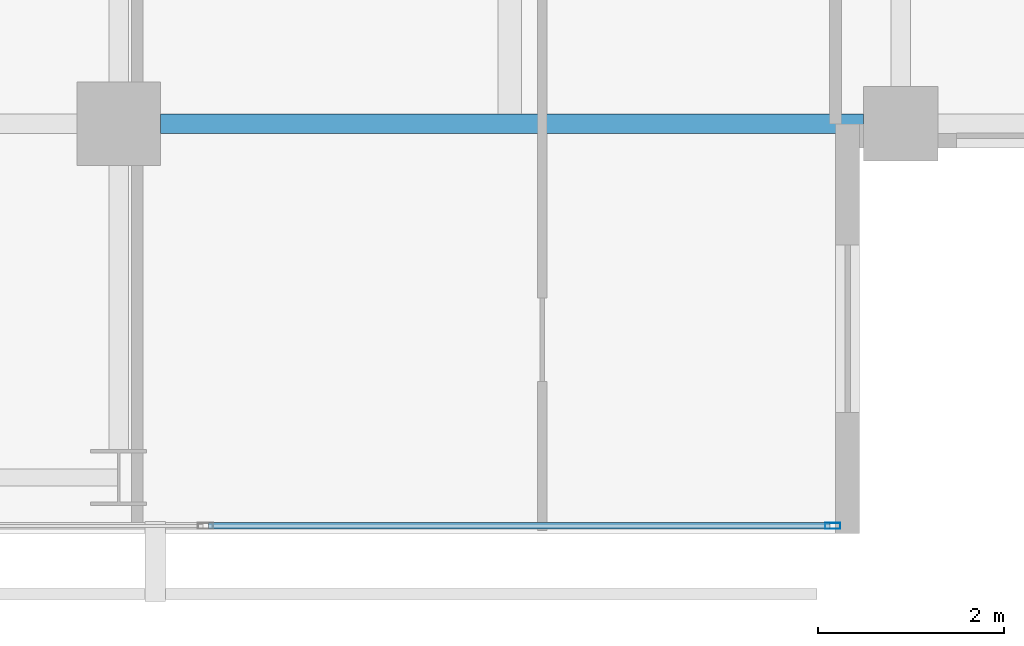
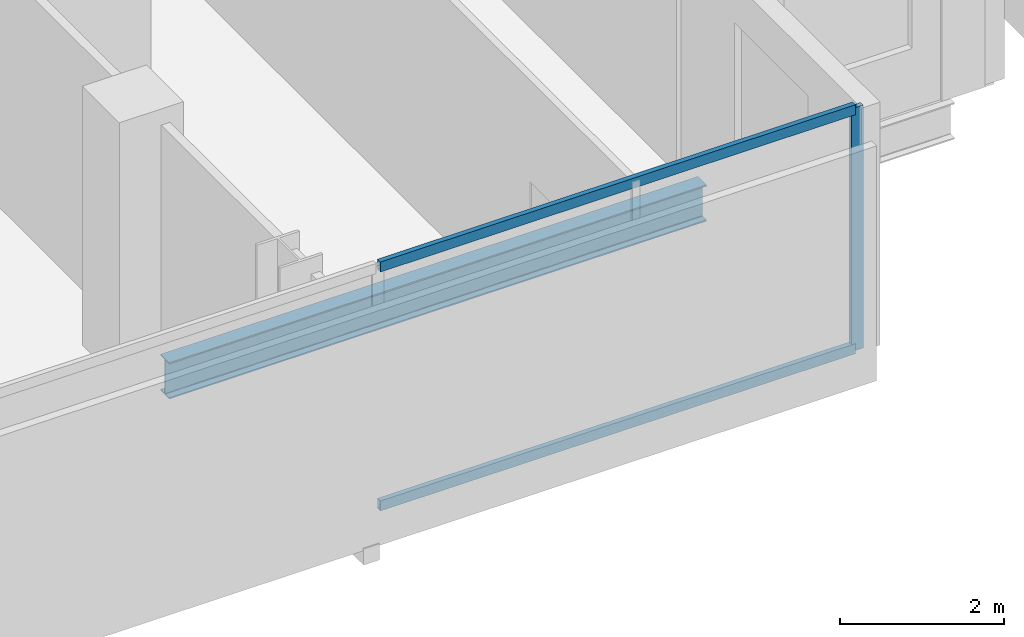
# One storey, part 13 of 34: 3 members, 1 beam, 1 element without a shape of its own.
"""IFC4 building model written with IfcOpenShell, lengths in metres."""

import ifcopenshell
import ifcopenshell.guid

model = None  # the IFC model being written
_history = None  # IfcOwnerHistory: only IFC2X3 demands one
_inside = {}  # id of a spatial element -> (the spatial element, [elements in it])
_under = {}  # id of a project, library or spatial element -> (it, [spatial elements below it])
_declared = {}  # id of a project -> (the project, [libraries it declares])
_typed = {}  # id of a type object -> (the type object, [elements of that type])
_made_of = {}  # id of a material, layer set ... -> (it, [elements and type objects made of it])


def new_model(schema):
    """Start an empty IFC model of exactly this schema.

    Asked for "IFC4X3", IfcOpenShell would pick the latest addendum, in which some entities
    have other attributes; the version numbers below select the first issue.
    IFC2X3 requires an IfcOwnerHistory on every rooted entity: one is made here for all.
    """
    global model, _history
    if schema == "IFC4X3":
        model = ifcopenshell.file(schema_version=(4, 3, 0, 0))
    else:
        model = ifcopenshell.file(schema=schema)
    _inside.clear()
    _under.clear()
    _declared.clear()
    _typed.clear()
    _made_of.clear()
    _history = None
    if model.schema == "IFC2X3":
        org = make("IfcOrganization", Name="unknown")
        user = make(
            "IfcPersonAndOrganization",
            ThePerson=make("IfcPerson", FamilyName="unknown"),
            TheOrganization=org,
        )
        app = make(
            "IfcApplication",
            ApplicationDeveloper=org,
            Version="unknown",
            ApplicationFullName="unknown",
            ApplicationIdentifier="unknown",
        )
        _history = make(
            "IfcOwnerHistory",
            OwningUser=user,
            OwningApplication=app,
            ChangeAction="ADDED",
            CreationDate=0,
        )
    return model


def make(cls, **values):
    """One entity of the class cls with the attributes given. An attribute that is None is left unset."""
    return model.create_entity(
        cls, **{name: value for name, value in values.items() if value is not None}
    )


def rooted(cls, **values):
    """An entity with a GlobalId (a new one), such as an element, a storey or a relation."""
    return make(cls, GlobalId=ifcopenshell.guid.new(), OwnerHistory=_history, **values)


def si_unit(unit_type, name, prefix=None):
    """IfcSIUnit, for example si_unit("LENGTHUNIT", "METRE", prefix="MILLI")."""
    return make("IfcSIUnit", UnitType=unit_type, Prefix=prefix, Name=name)


def assignment(units):
    """IfcUnitAssignment: the units of a project."""
    return None if units is None else make("IfcUnitAssignment", Units=units)


def point(xyz):
    """IfcCartesianPoint."""
    return None if xyz is None else make("IfcCartesianPoint", Coordinates=xyz)


def direction(xyz):
    """IfcDirection."""
    return None if xyz is None else make("IfcDirection", DirectionRatios=xyz)


def frame(location, z_axis=None, x_axis=None):
    """IfcAxis2Placement3D, a coordinate frame: its origin and axes. An axis left out is left unset."""
    return make(
        "IfcAxis2Placement3D",
        Location=point(location),
        Axis=direction(z_axis),
        RefDirection=direction(x_axis),
    )


def frame_2d(location, x_axis=None):
    """IfcAxis2Placement2D, a coordinate frame in the plane: its origin and x axis."""
    return make(
        "IfcAxis2Placement2D", Location=point(location), RefDirection=direction(x_axis)
    )


def origin():
    """The frame at (0, 0, 0) with its axes left unset."""
    return frame((0.0, 0.0, 0.0))


def origin_2d():
    """The frame at (0, 0) in the plane with its x axis left unset."""
    return frame_2d((0.0, 0.0))


def place(relative_to, where):
    """IfcLocalPlacement: puts the frame where relative to a parent placement (None: the world)."""
    return make(
        "IfcLocalPlacement", PlacementRelTo=relative_to, RelativePlacement=where
    )


def context(
    kind, dimensions, precision=None, world=None, true_north=None, identifier=None
):
    """IfcGeometricRepresentationContext, for example the 3D "Model" context."""
    return make(
        "IfcGeometricRepresentationContext",
        ContextIdentifier=identifier,
        ContextType=kind,
        CoordinateSpaceDimension=dimensions,
        Precision=precision,
        WorldCoordinateSystem=world,
        TrueNorth=true_north,
    )


def subcontext(parent, identifier, kind, view, scale=None):
    """IfcGeometricRepresentationSubContext, for example "Body" below "Model"."""
    return make(
        "IfcGeometricRepresentationSubContext",
        ContextIdentifier=identifier,
        ContextType=kind,
        ParentContext=parent,
        TargetScale=scale,
        TargetView=view,
    )


def project(units=None, contexts=None):
    """IfcProject with its units and contexts."""
    return rooted(
        "IfcProject",
        Name="project",
        RepresentationContexts=contexts,
        UnitsInContext=assignment(units),
    )


def spatial(cls, under=None, at=None, **own):
    """A site, building, storey or space (cls), placed at a placement, below another one or the project."""
    s = rooted(cls, ObjectPlacement=at, **own)
    if under is not None:
        _under.setdefault(under.id(), (under, []))[1].append(s)
    return s


def profile(cls, at=None, kind="AREA", **sizes):
    """A parametric profile (cls). Its sizes go by their IFC names, for example OverallWidth=200.0."""
    return make(cls, ProfileType=kind, Position=at, **sizes)


def hollow_rectangle(**sizes):
    """IfcRectangleHollowProfileDef."""
    return profile("IfcRectangleHollowProfileDef", **sizes)


def i_section(**sizes):
    """IfcIShapeProfileDef."""
    return profile("IfcIShapeProfileDef", **sizes)


def extrude(swept, where, along, depth):
    """IfcExtrudedAreaSolid: the profile swept, set in the frame where, extruded along a direction by depth."""
    return make(
        "IfcExtrudedAreaSolid",
        SweptArea=swept,
        Position=where,
        ExtrudedDirection=direction(along),
        Depth=depth,
    )


def shape(context_of_items, identifier, shape_type, items):
    """IfcShapeRepresentation: the items that make up one representation, for example the "Body"."""
    return make(
        "IfcShapeRepresentation",
        ContextOfItems=context_of_items,
        RepresentationIdentifier=identifier,
        RepresentationType=shape_type,
        Items=items,
    )


def material(Name=None, Category=None):
    """IfcMaterial."""
    return make("IfcMaterial", Name=Name, Category=Category)


def layer(
    of_material, thickness, ventilated=None, Name=None, Category=None, Priority=None
):
    """IfcMaterialLayer: one layer of a wall or slab, of a material (None: an air gap)."""
    return make(
        "IfcMaterialLayer",
        Material=of_material,
        LayerThickness=thickness,
        IsVentilated=ventilated,
        Name=Name,
        Category=Category,
        Priority=Priority,
    )


def layer_set(layers, Name=None):
    """IfcMaterialLayerSet."""
    return make("IfcMaterialLayerSet", MaterialLayers=layers, LayerSetName=Name)


def material_profile(
    of_material, cross_section, Name=None, Category=None, Priority=None
):
    """IfcMaterialProfile: a cross section and its material."""
    return make(
        "IfcMaterialProfile",
        Name=Name,
        Material=of_material,
        Profile=cross_section,
        Priority=Priority,
        Category=Category,
    )


def profile_set(profiles, Name=None, composite=None):
    """IfcMaterialProfileSet."""
    return make(
        "IfcMaterialProfileSet",
        Name=Name,
        MaterialProfiles=profiles,
        CompositeProfile=composite,
    )


def made_of(thing, what):
    """Note that an element or type object is made of a material, layer set ...; save() writes the relation."""
    if what is not None:
        _made_of.setdefault(what.id(), (what, []))[1].append(thing)
    return thing


def type_object(cls, material=None, **own):
    """A type object (cls), such as IfcWallType, which elements share."""
    return made_of(rooted(cls, **own), material)


def element(
    cls,
    number,
    at=None,
    inside=None,
    cuts=None,
    type_object=None,
    material=None,
    context=None,
    identifier="Body",
    shape_type=None,
    held_by="IfcProductDefinitionShape",
    body=None,
    shapes=None,
    **own,
):
    """One element of the class cls, such as IfcWall. Its Tag is "e" and its number.

    at: its placement. inside: the storey or other place that contains it. cuts: it is an
    opening in that element (IfcRelVoidsElement). A single representation is given by context,
    identifier, shape_type and body (its items); several are given by shapes. held_by: the class
    of the entity that holds the representations. save() writes the other relations.
    """
    e = rooted(cls, Tag="e%d" % number, ObjectPlacement=at, **own)
    if body is not None:
        shapes = [shape(context, identifier, shape_type, body)]
    if shapes is not None:
        e.Representation = make(held_by, Representations=shapes)
    if inside is not None:
        _inside.setdefault(inside.id(), (inside, []))[1].append(e)
    if cuts is not None:
        rooted(
            "IfcRelVoidsElement", RelatingBuildingElement=cuts, RelatedOpeningElement=e
        )
    if type_object is not None:
        _typed.setdefault(type_object.id(), (type_object, []))[1].append(e)
    return made_of(e, material)


def aggregate(whole, parts):
    """IfcRelAggregates: a whole, such as a stair, and the parts it consists of."""
    return rooted("IfcRelAggregates", RelatingObject=whole, RelatedObjects=parts)


def save(model, path):
    """Write the relations noted so far, then the file.

    IfcRelAggregates (storeys below a building ...), IfcRelContainedInSpatialStructure (elements
    in a storey), IfcRelDefinesByType, IfcRelAssociatesMaterial and IfcRelDeclares: one each for
    every whole, place, type object, material and project.
    """
    for whole, parts in _under.values():
        aggregate(whole, parts)
    for where, things in _inside.values():
        rooted(
            "IfcRelContainedInSpatialStructure",
            RelatedElements=things,
            RelatingStructure=where,
        )
    for kind, things in _typed.values():
        rooted("IfcRelDefinesByType", RelatedObjects=things, RelatingType=kind)
    for what, things in _made_of.values():
        rooted("IfcRelAssociatesMaterial", RelatedObjects=things, RelatingMaterial=what)
    for by, libraries in _declared.values():
        rooted("IfcRelDeclares", RelatingContext=by, RelatedDefinitions=libraries)
    model.write(path)


model = new_model("IFC4")

# Units and contexts
model_context = context("Model", 3, precision=1e-05, world=origin(), true_north=direction((0.0, 1.0)))
body_context = subcontext(model_context, "Body", "Model", "MODEL_VIEW")
ifc_project = project(units=[si_unit("LENGTHUNIT", "METRE"), si_unit("AREAUNIT", "SQUARE_METRE"), si_unit("VOLUMEUNIT", "CUBIC_METRE"), si_unit("PLANEANGLEUNIT", "RADIAN"), si_unit("MASSUNIT", "GRAM", prefix="KILO")], contexts=[model_context])

# Site, building, storey
site_placement = place(None, origin())
site = spatial("IfcSite", under=ifc_project, at=site_placement, CompositionType="ELEMENT")
building_placement = place(site_placement, origin())
building = spatial("IfcBuilding", under=site, at=building_placement, Name="Maruvema Waterfront Hotel and Observation Tower", CompositionType="ELEMENT")
storey_placement = place(building_placement, frame((0.0, 0.0, 212.10009765625)))
storey = spatial("IfcBuildingStorey", under=building, at=storey_placement, Name="L52", CompositionType="ELEMENT", Elevation=212.10009765625)

# Curtain wall, members
ifc_material_1 = material(Name="Anodised bronze aluminium and solar-control low-E IGU", Category="aluminium")
ifc_layer = layer(ifc_material_1, 0.159912109375, Name="Zone 2 Amber Inner Thermal Curtain Wall System CW-03")
ifc_layer_set = layer_set([ifc_layer], Name="Anodised bronze aluminium and solar-control low-E IGU")
curtain_wall_type = type_object("IfcCurtainWallType", Name="Zone 2 Amber Inner Thermal Curtain Wall System CW-03", PredefinedType="USERDEFINED", material=ifc_layer_set)
curtain_wall_placement = place(storey_placement, origin())
curtain_wall = element("IfcCurtainWall", 1, at=curtain_wall_placement, inside=storey, type_object=curtain_wall_type, Name="L52 Curtain Wall CW-L52-S", ObjectType="UNITISED CURTAIN WALL", PredefinedType="USERDEFINED")
ifc_material_2 = material(Name="Anodised architectural bronze aluminium", Category="aluminium")
ifc_material_profile_1 = material_profile(ifc_material_2, hollow_rectangle(XDim=0.070068359375, YDim=0.14990234375, WallThickness=0.00390625, at=origin_2d()), Name="ALU-T70x150")
ifc_profile_set_1 = profile_set([ifc_material_profile_1], Name="Anodised architectural bronze aluminium")
member_type_1 = type_object("IfcMemberType", Name="Curtain Wall Horizontal Transom ALU-T70x150", PredefinedType="USERDEFINED", material=ifc_profile_set_1)
member_1_placement = place(storey_placement, frame((51.36328125, 4.679931640625, 0.02978515625), z_axis=(1.0, 0.0, 0.0), x_axis=(0.0, 1.0, 0.0)))
member_1 = element("IfcMember", 2, at=member_1_placement, type_object=member_type_1, Name="CW-03 transom 6.1", ObjectType="TRANSOM", PredefinedType="USERDEFINED", context=body_context, shape_type="SweptSolid", body=[
    extrude(hollow_rectangle(XDim=0.070068359375, YDim=0.14990234375, WallThickness=0.00390625, at=origin_2d()), origin(), (0.0, 0.0, 1.0), 6.6767578125),
])
member_2_placement = place(storey_placement, frame((51.36328125, 4.679931640625, 3.579833984375), z_axis=(1.0, 0.0, 0.0), x_axis=(0.0, 1.0, 0.0)))
member_2 = element("IfcMember", 3, at=member_2_placement, type_object=member_type_1, Name="CW-03 transom 6.2", ObjectType="TRANSOM", PredefinedType="USERDEFINED", context=body_context, shape_type="SweptSolid", body=[
    extrude(hollow_rectangle(XDim=0.070068359375, YDim=0.14990234375, WallThickness=0.00390625, at=origin_2d()), origin(), (0.0, 0.0, 1.0), 6.6767578125),
])
ifc_material_3 = material(Name="Anodised architectural bronze aluminium", Category="aluminium")
ifc_material_profile_2 = material_profile(ifc_material_3, hollow_rectangle(XDim=0.06494140625, YDim=0.1650390625, WallThickness=0.00390625, at=origin_2d()), Name="ALU-M65x165")
ifc_profile_set_2 = profile_set([ifc_material_profile_2], Name="Anodised architectural bronze aluminium")
member_type_2 = type_object("IfcMemberType", Name="Curtain Wall Primary Mullion ALU-M65x165", PredefinedType="MULLION", material=ifc_profile_set_2)
member_3_placement = place(storey_placement, frame((58.070068359375, 4.679931640625, 0.0), z_axis=(0.0, 0.0, 1.0), x_axis=(0.0, 1.0, 0.0)))
member_3 = element("IfcMember", 4, at=member_3_placement, type_object=member_type_2, Name="CW-03 mullion 7", PredefinedType="MULLION", context=body_context, shape_type="SweptSolid", body=[
    extrude(hollow_rectangle(XDim=0.06494140625, YDim=0.1650390625, WallThickness=0.00390625, at=origin_2d()), origin(), (0.0, 0.0, 1.0), 3.60986328125),
])
aggregate(curtain_wall, [member_3, member_1, member_2])

# Beam
ifc_material_4 = material(Name="Steel ASTM A572 Grade 50", Category="steel")
ifc_material_profile_3 = material_profile(ifc_material_4, i_section(OverallWidth=0.2109375, OverallDepth=0.5390625, WebThickness=0.01171875, FlangeThickness=0.018798828125, FilletRadius=0.014892578125, at=origin_2d()), Name="W530x109.0")
ifc_profile_set_3 = profile_set([ifc_material_profile_3], Name="Steel ASTM A572 Grade 50")
beam_type = type_object("IfcBeamType", Name="Primary Floor Girder W530x109.0", PredefinedType="BEAM", material=ifc_profile_set_3)
beam_placement = place(storey_placement, frame((50.85009765625, 9.0, -0.509521484375), z_axis=(1.0, 0.0, 0.0), x_axis=(0.0, 1.0, 0.0)))
element("IfcBeam", 5, at=beam_placement, inside=storey, type_object=beam_type, Name="L52 Floor Girder EW-09", PredefinedType="BEAM", context=body_context, shape_type="SweptSolid", body=[
    extrude(i_section(OverallWidth=0.2109375, OverallDepth=0.5390625, WebThickness=0.01171875, FlangeThickness=0.018798828125, FilletRadius=0.014892578125, at=origin_2d()), origin(), (0.0, 0.0, 1.0), 7.5498046875),
])

save(model, "model.ifc")
